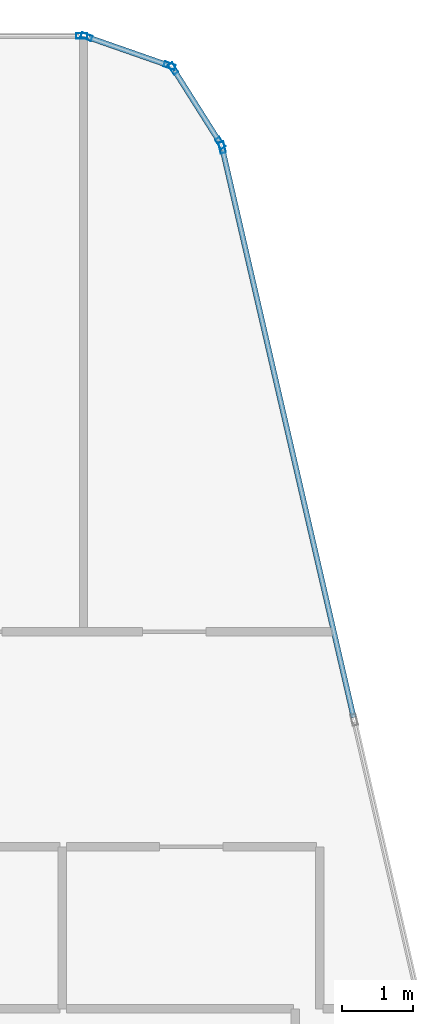
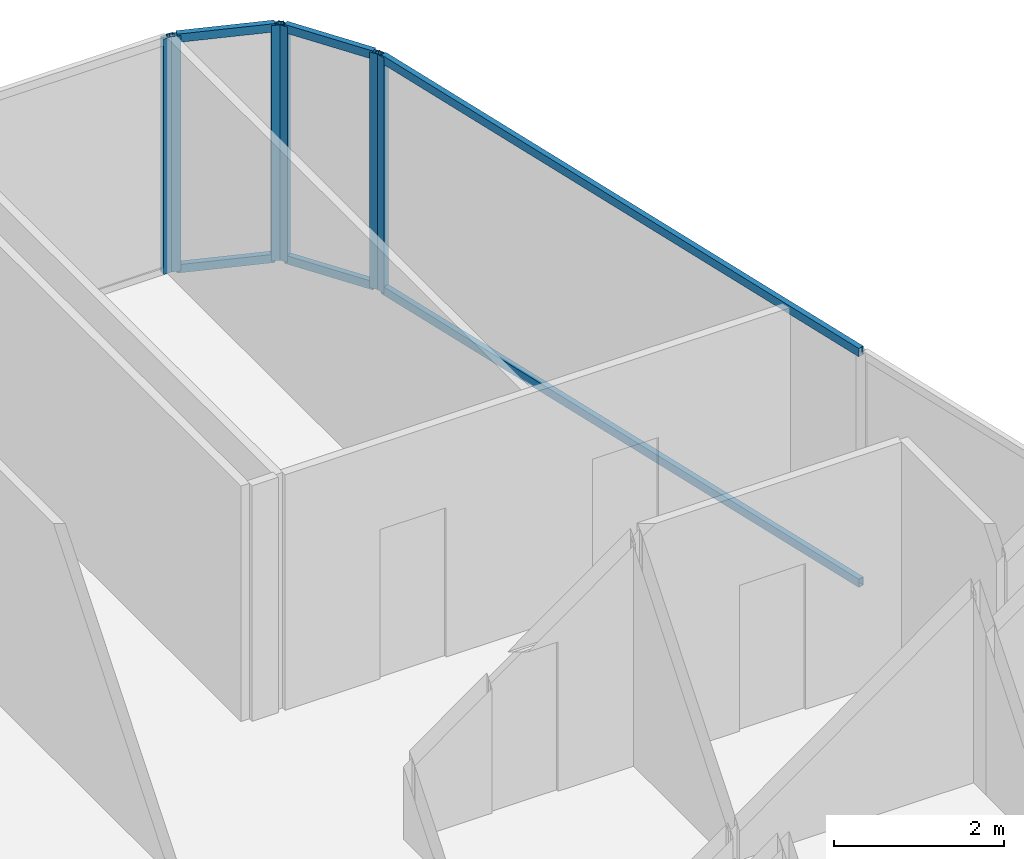
# One storey, part 21 of 29: 12 members, 4 elements without a shape of their own.
"""IFC4 building model written with IfcOpenShell, lengths in metres."""

from ifc_helpers import new_model, si_unit, direction, frame, origin, origin_2d, place, context, subcontext, project, spatial, hollow_rectangle, extrude, material, layer, layer_set, material_profile, profile_set, type_object, element, aggregate, save


model = new_model("IFC4")

# Units and contexts
model_context = context("Model", 3, precision=1e-05, world=origin(), true_north=direction((0.0, 1.0)))
body_context = subcontext(model_context, "Body", "Model", "MODEL_VIEW")
ifc_project = project(units=[si_unit("LENGTHUNIT", "METRE"), si_unit("AREAUNIT", "SQUARE_METRE"), si_unit("VOLUMEUNIT", "CUBIC_METRE"), si_unit("PLANEANGLEUNIT", "RADIAN"), si_unit("MASSUNIT", "GRAM", prefix="KILO")], contexts=[model_context])

# Site, building, storey
site_placement = place(None, origin())
site = spatial("IfcSite", under=ifc_project, at=site_placement, CompositionType="ELEMENT")
building_placement = place(site_placement, origin())
building = spatial("IfcBuilding", under=site, at=building_placement, Name="Keshet Zoharim Tower", CompositionType="ELEMENT")
storey_placement = place(building_placement, frame((0.0, 0.0, 222.800048828125)))
storey = spatial("IfcBuildingStorey", under=building, at=storey_placement, Name="L55", CompositionType="ELEMENT", Elevation=222.800048828125)

# Curtain wall, member
ifc_material = material(Name="Aluminium 6063-T6", Category="aluminium")
ifc_layer = layer(ifc_material, 0.139892578125)
ifc_layer_set = layer_set([ifc_layer], Name="Aluminium 6063-T6")
curtain_wall_type = type_object("IfcCurtainWallType", Name="CW-SYS-05", PredefinedType="NOTDEFINED", material=ifc_layer_set)
curtain_wall_1_placement = place(storey_placement, origin())
curtain_wall_1 = element("IfcCurtainWall", 1, at=curtain_wall_1_placement, inside=storey, type_object=curtain_wall_type, Name="L55 Unitised Curtain Wall 16 Part 3", PredefinedType="NOTDEFINED")
ifc_material_profile_1 = material_profile(ifc_material, hollow_rectangle(XDim=0.074951171875, YDim=0.159912109375, WallThickness=0.00390625, at=origin_2d()), Name="MUL-75x160")
ifc_profile_set_1 = profile_set([ifc_material_profile_1], Name="Aluminium 6063-T6")
member_type_1 = type_object("IfcMemberType", Name="CWM-M15", PredefinedType="MULLION", material=ifc_profile_set_1)
member_1_placement = place(storey_placement, frame((37.3740234375, 53.89990234375, 0.0), z_axis=(0.0, 0.0, 1.0), x_axis=(0.0, 1.0, 0.0)))
member_1 = element("IfcMember", 2, at=member_1_placement, type_object=member_type_1, Name="CW-05 mullion 3", PredefinedType="MULLION", context=body_context, shape_type="SweptSolid", body=[
    extrude(hollow_rectangle(XDim=0.074951171875, YDim=0.159912109375, WallThickness=0.00390625, at=origin_2d()), origin(), (0.0, 0.0, 1.0), 3.389892578125),
])
aggregate(curtain_wall_1, [member_1])

# Curtain wall, members
curtain_wall_2_placement = place(storey_placement, origin())
curtain_wall_2 = element("IfcCurtainWall", 3, at=curtain_wall_2_placement, inside=storey, type_object=curtain_wall_type, Name="L55 Unitised Curtain Wall 17", PredefinedType="NOTDEFINED")
member_2_placement = place(storey_placement, frame((37.442138671875, 53.888427734375, 0.0), z_axis=(0.0, 0.0, 1.0), x_axis=(0.329843743636, 0.944035542119, 0.0)))
member_2 = element("IfcMember", 4, at=member_2_placement, type_object=member_type_1, Name="CW-05 mullion 1", PredefinedType="MULLION", context=body_context, shape_type="SweptSolid", body=[
    extrude(hollow_rectangle(XDim=0.074951171875, YDim=0.159912109375, WallThickness=0.00390625, at=origin_2d()), origin(), (0.0, 0.0, 1.0), 3.389892578125),
])
member_3_placement = place(storey_placement, frame((38.620849609375, 53.4765625, 0.0), z_axis=(0.0, 0.0, 1.0), x_axis=(0.329843743636, 0.944035542119, 0.0)))
member_3 = element("IfcMember", 5, at=member_3_placement, type_object=member_type_1, Name="CW-05 mullion 2", PredefinedType="MULLION", context=body_context, shape_type="SweptSolid", body=[
    extrude(hollow_rectangle(XDim=0.074951171875, YDim=0.159912109375, WallThickness=0.00390625, at=origin_2d()), origin(), (0.0, 0.0, 1.0), 3.389892578125),
])

curtain_wall_3_placement = place(storey_placement, origin())
curtain_wall_3 = element("IfcCurtainWall", 6, at=curtain_wall_3_placement, inside=storey, type_object=curtain_wall_type, Name="L55 Unitised Curtain Wall 18", PredefinedType="NOTDEFINED")
member_4_placement = place(storey_placement, frame((38.672607421875, 53.435302734375, 0.0), z_axis=(0.0, 0.0, 1.0), x_axis=(0.845560976183, 0.533878858502, 0.0)))
member_4 = element("IfcMember", 7, at=member_4_placement, type_object=member_type_1, Name="CW-05 mullion 1", PredefinedType="MULLION", context=body_context, shape_type="SweptSolid", body=[
    extrude(hollow_rectangle(XDim=0.074951171875, YDim=0.159912109375, WallThickness=0.00390625, at=origin_2d()), origin(), (0.0, 0.0, 1.0), 3.389892578125),
])
member_5_placement = place(storey_placement, frame((39.33935546875, 52.379638671875, 0.0), z_axis=(0.0, 0.0, 1.0), x_axis=(0.845560976183, 0.533878858502, 0.0)))
member_5 = element("IfcMember", 8, at=member_5_placement, type_object=member_type_1, Name="CW-05 mullion 2", PredefinedType="MULLION", context=body_context, shape_type="SweptSolid", body=[
    extrude(hollow_rectangle(XDim=0.074951171875, YDim=0.159912109375, WallThickness=0.00390625, at=origin_2d()), origin(), (0.0, 0.0, 1.0), 3.389892578125),
])

# Curtain wall, member
curtain_wall_4_placement = place(storey_placement, origin())
curtain_wall_4 = element("IfcCurtainWall", 9, at=curtain_wall_4_placement, inside=storey, type_object=curtain_wall_type, Name="L55 Unitised Curtain Wall 19", PredefinedType="NOTDEFINED")
member_6_placement = place(storey_placement, frame((39.365966796875, 52.31591796875, 0.0), z_axis=(0.0, 0.0, 1.0), x_axis=(0.974393882313, 0.224847864369, 0.0)))
member_6 = element("IfcMember", 10, at=member_6_placement, type_object=member_type_1, Name="CW-05 mullion 1", PredefinedType="MULLION", context=body_context, shape_type="SweptSolid", body=[
    extrude(hollow_rectangle(XDim=0.074951171875, YDim=0.159912109375, WallThickness=0.00390625, at=origin_2d()), origin(), (0.0, 0.0, 1.0), 3.389892578125),
])

# Member
ifc_material_profile_2 = material_profile(ifc_material, hollow_rectangle(XDim=0.074951171875, YDim=0.1201171875, WallThickness=0.00390625, at=origin_2d()), Name="TRN-75x120")
ifc_profile_set_2 = profile_set([ifc_material_profile_2], Name="Aluminium 6063-T6")
member_type_2 = type_object("IfcMemberType", Name="CWT-T12", PredefinedType="USERDEFINED", material=ifc_profile_set_2)
member_7_placement = place(storey_placement, frame((37.47509765625, 53.876953125, 0.034912109375), z_axis=(0.944006789648, -0.329926023675, 0.0), x_axis=(0.329926023675, 0.944006789648, 0.0)))
member_7 = element("IfcMember", 11, at=member_7_placement, type_object=member_type_2, Name="CW-05 transom 1.1", ObjectType="TRANSOM", PredefinedType="USERDEFINED", context=body_context, shape_type="SweptSolid", body=[
    extrude(hollow_rectangle(XDim=0.074951171875, YDim=0.1201171875, WallThickness=0.00390625, at=origin_2d()), origin(), (0.0, 0.0, 1.0), 1.1787109375),
])

member_8_placement = place(storey_placement, frame((37.47509765625, 53.876953125, 3.35498046875), z_axis=(0.944006789648, -0.329926023675, 0.0), x_axis=(0.329926023675, 0.944006789648, 0.0)))
member_8 = element("IfcMember", 12, at=member_8_placement, type_object=member_type_2, Name="CW-05 transom 1.2", ObjectType="TRANSOM", PredefinedType="USERDEFINED", context=body_context, shape_type="SweptSolid", body=[
    extrude(hollow_rectangle(XDim=0.074951171875, YDim=0.1201171875, WallThickness=0.00390625, at=origin_2d()), origin(), (0.0, 0.0, 1.0), 1.1787109375),
])

aggregate(curtain_wall_2, [member_2, member_3, member_7, member_8])

member_9_placement = place(storey_placement, frame((38.69140625, 53.40576171875, 0.034912109375), z_axis=(0.53382931122, -0.845592257819, 0.0), x_axis=(0.845592257819, 0.53382931122, 0.0)))
member_9 = element("IfcMember", 13, at=member_9_placement, type_object=member_type_2, Name="CW-05 transom 1.1", ObjectType="TRANSOM", PredefinedType="USERDEFINED", context=body_context, shape_type="SweptSolid", body=[
    extrude(hollow_rectangle(XDim=0.074951171875, YDim=0.1201171875, WallThickness=0.00390625, at=origin_2d()), origin(), (0.0, 0.0, 1.0), 1.178466796875),
])

member_10_placement = place(storey_placement, frame((38.69140625, 53.40576171875, 3.35498046875), z_axis=(0.53382931122, -0.845592257819, 0.0), x_axis=(0.845592257819, 0.53382931122, 0.0)))
member_10 = element("IfcMember", 14, at=member_10_placement, type_object=member_type_2, Name="CW-05 transom 1.2", ObjectType="TRANSOM", PredefinedType="USERDEFINED", context=body_context, shape_type="SweptSolid", body=[
    extrude(hollow_rectangle(XDim=0.074951171875, YDim=0.1201171875, WallThickness=0.00390625, at=origin_2d()), origin(), (0.0, 0.0, 1.0), 1.178466796875),
])

aggregate(curtain_wall_3, [member_4, member_5, member_9, member_10])

member_11_placement = place(storey_placement, frame((39.373779296875, 52.28173828125, 0.034912109375), z_axis=(0.224835758738, -0.974396675688, 0.0), x_axis=(0.974396675688, 0.224835758738, 0.0)))
member_11 = element("IfcMember", 15, at=member_11_placement, type_object=member_type_2, Name="CW-05 transom 1.1", ObjectType="TRANSOM", PredefinedType="USERDEFINED", context=body_context, shape_type="SweptSolid", body=[
    extrude(hollow_rectangle(XDim=0.074951171875, YDim=0.1201171875, WallThickness=0.00390625, at=origin_2d()), origin(), (0.0, 0.0, 1.0), 8.259033203125),
])

member_12_placement = place(storey_placement, frame((39.373779296875, 52.28173828125, 3.35498046875), z_axis=(0.224835758738, -0.974396675688, 0.0), x_axis=(0.974396675688, 0.224835758738, 0.0)))
member_12 = element("IfcMember", 16, at=member_12_placement, type_object=member_type_2, Name="CW-05 transom 1.2", ObjectType="TRANSOM", PredefinedType="USERDEFINED", context=body_context, shape_type="SweptSolid", body=[
    extrude(hollow_rectangle(XDim=0.074951171875, YDim=0.1201171875, WallThickness=0.00390625, at=origin_2d()), origin(), (0.0, 0.0, 1.0), 8.259033203125),
])

aggregate(curtain_wall_4, [member_6, member_11, member_12])

save(model, "model.ifc")
